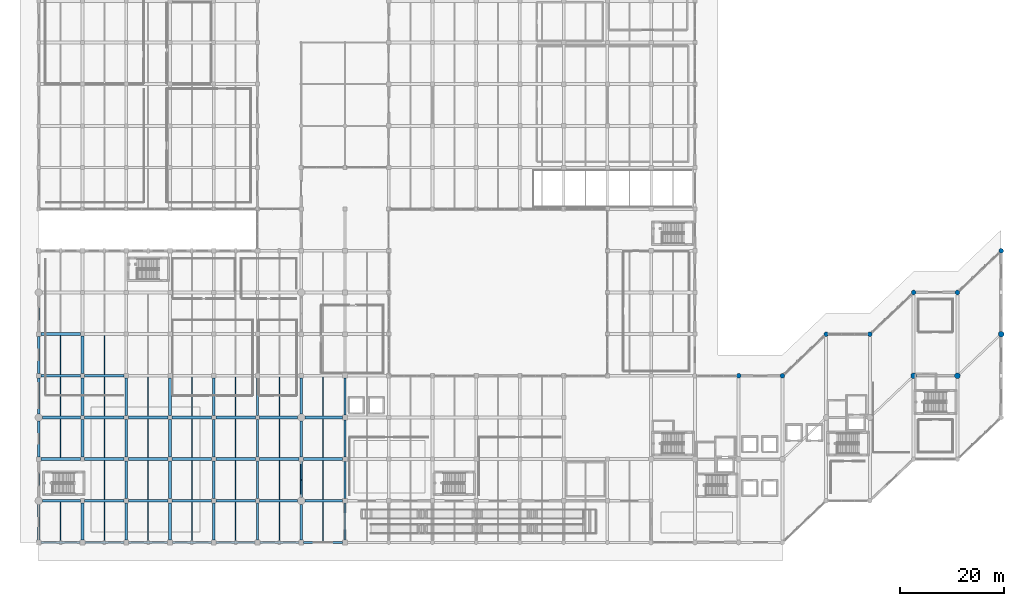
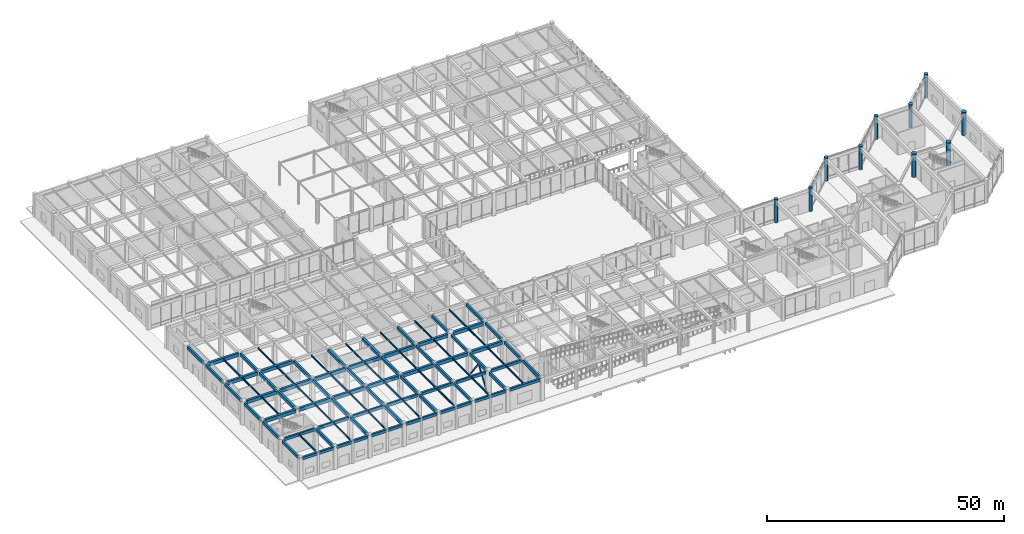
# One storey, part 18 of 76: 94 beams, 10 columns, 3 members.
"""IFC4 building model written with IfcOpenShell, lengths in metres."""

from ifc_helpers import new_model, si_unit, direction, frame, origin, origin_2d, place, context, subcontext, project, spatial, rectangle, hollow_rectangle, circle, i_section, extrude, material, material_profile, profile_set, type_object, element, save


model = new_model("IFC4")

# Units and contexts
model_context = context("Model", 3, precision=1e-05, world=origin(), true_north=direction((0.0, 1.0)))
body_context = subcontext(model_context, "Body", "Model", "MODEL_VIEW")
ifc_project = project(units=[si_unit("LENGTHUNIT", "METRE"), si_unit("AREAUNIT", "SQUARE_METRE"), si_unit("VOLUMEUNIT", "CUBIC_METRE"), si_unit("PLANEANGLEUNIT", "RADIAN"), si_unit("MASSUNIT", "GRAM", prefix="KILO")], contexts=[model_context])

# Site, building, storey
site_placement = place(None, origin())
site = spatial("IfcSite", under=ifc_project, at=site_placement, CompositionType="ELEMENT")
building_placement = place(site_placement, origin())
building = spatial("IfcBuilding", under=site, at=building_placement, Name="Naruveol Harbour Congress Hotel", CompositionType="ELEMENT")
storey_placement = place(building_placement, origin())
storey = spatial("IfcBuildingStorey", under=building, at=storey_placement, Name="L00", CompositionType="ELEMENT", Elevation=0.0)

# Columns
ifc_material_1 = material(Name="Concrete C50/60", Category="concrete")
ifc_material_profile_1 = material_profile(ifc_material_1, circle(Radius=0.449951171875, at=origin_2d()), Name="RC-D900")
ifc_profile_set_1 = profile_set([ifc_material_profile_1], Name="Concrete C50/60")
column_type_1 = type_object("IfcColumnType", Name="RC HARBOUR PILOTIS D900", PredefinedType="COLUMN", material=ifc_profile_set_1)
for number, where, z_axis, x_axis, name in (
    (1, (134.39990234375, 32.0, 0.0), (0.0, 0.0, 1.0), (1.0, 0.0, 0.0), "Column C-PD900 L00 (134.4,32.0)"),
    (2, (142.800048828125, 32.0, 0.0), (0.0, 0.0, 1.0), (1.0, 0.0, 0.0), "Column C-PD900 L00 (142.8,32.0)"),
    (3, (151.199951171875, 40.0, 0.0), (0.0, 0.0, 1.0), (1.0, 0.0, 0.0), "Column C-PD900 L00 (151.2,40.0)"),
    (4, (159.60009765625, 40.0, 0.0), (0.0, 0.0, 1.0), (1.0, 0.0, 0.0), "Column C-PD900 L00 (159.6,40.0)"),
    (5, (168.0, 48.0, 0.0), (0.0, 0.0, 1.0), (1.0, 0.0, 0.0), "Column C-PD900 L00 (168.0,48.0)"),
    (6, (176.39990234375, 48.0, 0.0), (0.0, 0.0, 1.0), (1.0, 0.0, 0.0), "Column C-PD900 L00 (176.4,48.0)"),
    (7, (184.800048828125, 56.0, 0.0), (0.0, 0.0, 1.0), (1.0, 0.0, 0.0), "Column C-PD900 L00 (184.8,56.0)"),
):
    element("IfcColumn", number, at=place(storey_placement, frame(where, z_axis=z_axis, x_axis=x_axis)), inside=storey, type_object=column_type_1, Name=name, PredefinedType="COLUMN", context=body_context, shape_type="SweptSolid", body=[
        extrude(circle(Radius=0.449951171875, at=origin_2d()), origin(), (0.0, 0.0, 1.0), 6.0),
    ])
ifc_material_2 = material(Name="Concrete C50/60", Category="concrete")
ifc_material_profile_2 = material_profile(ifc_material_2, circle(Radius=0.550048828125, at=origin_2d()), Name="RC-D1100")
ifc_profile_set_2 = profile_set([ifc_material_profile_2], Name="Concrete C50/60")
column_type_2 = type_object("IfcColumnType", Name="RC TRANSFER PILOTIS D1100", PredefinedType="COLUMN", material=ifc_profile_set_2)
for number, where, z_axis, x_axis, name in (
    (8, (168.0, 32.0, 0.0), (0.0, 0.0, 1.0), (1.0, 0.0, 0.0), "Column C-PD1100 L00 (168.0,32.0)"),
    (9, (176.39990234375, 32.0, 0.0), (0.0, 0.0, 1.0), (1.0, 0.0, 0.0), "Column C-PD1100 L00 (176.4,32.0)"),
    (10, (184.800048828125, 40.0, 0.0), (0.0, 0.0, 1.0), (1.0, 0.0, 0.0), "Column C-PD1100 L00 (184.8,40.0)"),
):
    element("IfcColumn", number, at=place(storey_placement, frame(where, z_axis=z_axis, x_axis=x_axis)), inside=storey, type_object=column_type_2, Name=name, PredefinedType="COLUMN", context=body_context, shape_type="SweptSolid", body=[
        extrude(circle(Radius=0.550048828125, at=origin_2d()), origin(), (0.0, 0.0, 1.0), 6.0),
    ])

# Beams
ifc_material_3 = material(Name="Concrete C40/50", Category="concrete")
ifc_material_profile_3 = material_profile(ifc_material_3, rectangle(XDim=0.5, YDim=0.75, at=origin_2d()), Name="RCB-500x750")
ifc_profile_set_3 = profile_set([ifc_material_profile_3], Name="Concrete C40/50")
beam_type_1 = type_object("IfcBeamType", Name="RC FLOOR GIRDER 500X750", PredefinedType="BEAM", material=ifc_profile_set_3)
beam_1_placement = place(storey_placement, frame((8.39990234375, 0.446044921875, 5.324951171875), z_axis=(0.0, 1.0, 0.0), x_axis=(-1.0, 0.0, 0.0)))
element("IfcBeam", 11, at=beam_1_placement, inside=storey, type_object=beam_type_1, Name="Transverse girder L01 CB3", PredefinedType="BEAM", context=body_context, shape_type="SweptSolid", body=[
    extrude(rectangle(XDim=0.5, YDim=0.75, at=origin_2d()), origin(), (0.0, 0.0, 1.0), 7.157958984375),
])
for number, where, z_axis, x_axis, name in (
    (12, (8.39990234375, 16.39599609375, 5.324951171875), (0.0, 1.0, 0.0), (-1.0, 0.0, 0.0), "Transverse girder L01 CB3"),
    (13, (8.39990234375, 24.39599609375, 5.324951171875), (0.0, 1.0, 0.0), (-1.0, 0.0, 0.0), "Transverse girder L01 CB3"),
    (14, (8.39990234375, 32.39599609375, 5.324951171875), (0.0, 1.0, 0.0), (-1.0, 0.0, 0.0), "Transverse girder L01 CB3"),
):
    element("IfcBeam", number, at=place(storey_placement, frame(where, z_axis=z_axis, x_axis=x_axis)), inside=storey, type_object=beam_type_1, Name=name, PredefinedType="BEAM", context=body_context, shape_type="SweptSolid", body=[
        extrude(rectangle(XDim=0.5, YDim=0.75, at=origin_2d()), origin(), (0.0, 0.0, 1.0), 7.2080078125),
    ])
beam_2_placement = place(storey_placement, frame((16.800048828125, 0.446044921875, 5.324951171875), z_axis=(0.0, 1.0, 0.0), x_axis=(-1.0, 0.0, 0.0)))
element("IfcBeam", 15, at=beam_2_placement, inside=storey, type_object=beam_type_1, Name="Transverse girder L01 CB3", PredefinedType="BEAM", context=body_context, shape_type="SweptSolid", body=[
    extrude(rectangle(XDim=0.5, YDim=0.75, at=origin_2d()), origin(), (0.0, 0.0, 1.0), 7.157958984375),
])
for number, where, z_axis, x_axis, name in (
    (16, (16.800048828125, 8.39599609375, 5.324951171875), (0.0, 1.0, 0.0), (-1.0, 0.0, 0.0), "Transverse girder L01 CB3"),
    (17, (16.800048828125, 16.39599609375, 5.324951171875), (0.0, 1.0, 0.0), (-1.0, 0.0, 0.0), "Transverse girder L01 CB3"),
    (18, (16.800048828125, 24.39599609375, 5.324951171875), (0.0, 1.0, 0.0), (-1.0, 0.0, 0.0), "Transverse girder L01 CB3"),
):
    element("IfcBeam", number, at=place(storey_placement, frame(where, z_axis=z_axis, x_axis=x_axis)), inside=storey, type_object=beam_type_1, Name=name, PredefinedType="BEAM", context=body_context, shape_type="SweptSolid", body=[
        extrude(rectangle(XDim=0.5, YDim=0.75, at=origin_2d()), origin(), (0.0, 0.0, 1.0), 7.2080078125),
    ])
beam_3_placement = place(storey_placement, frame((25.199951171875, 0.446044921875, 5.324951171875), z_axis=(0.0, 1.0, 0.0), x_axis=(-1.0, 0.0, 0.0)))
element("IfcBeam", 19, at=beam_3_placement, inside=storey, type_object=beam_type_1, Name="Transverse girder L01 CB3", PredefinedType="BEAM", context=body_context, shape_type="SweptSolid", body=[
    extrude(rectangle(XDim=0.5, YDim=0.75, at=origin_2d()), origin(), (0.0, 0.0, 1.0), 7.157958984375),
])
for number, where, z_axis, x_axis, name in (
    (20, (25.199951171875, 8.39599609375, 5.324951171875), (0.0, 1.0, 0.0), (-1.0, 0.0, 0.0), "Transverse girder L01 CB3"),
    (21, (25.199951171875, 16.39599609375, 5.324951171875), (0.0, 1.0, 0.0), (-1.0, 0.0, 0.0), "Transverse girder L01 CB3"),
    (22, (25.199951171875, 24.39599609375, 5.324951171875), (0.0, 1.0, 0.0), (-1.0, 0.0, 0.0), "Transverse girder L01 CB3"),
):
    element("IfcBeam", number, at=place(storey_placement, frame(where, z_axis=z_axis, x_axis=x_axis)), inside=storey, type_object=beam_type_1, Name=name, PredefinedType="BEAM", context=body_context, shape_type="SweptSolid", body=[
        extrude(rectangle(XDim=0.5, YDim=0.75, at=origin_2d()), origin(), (0.0, 0.0, 1.0), 7.2080078125),
    ])
beam_4_placement = place(storey_placement, frame((33.60009765625, 0.446044921875, 5.324951171875), z_axis=(0.0, 1.0, 0.0), x_axis=(-1.0, 0.0, 0.0)))
element("IfcBeam", 23, at=beam_4_placement, inside=storey, type_object=beam_type_1, Name="Transverse girder L01 CB3", PredefinedType="BEAM", context=body_context, shape_type="SweptSolid", body=[
    extrude(rectangle(XDim=0.5, YDim=0.75, at=origin_2d()), origin(), (0.0, 0.0, 1.0), 7.157958984375),
])
for number, where, z_axis, x_axis, name in (
    (24, (33.60009765625, 8.39599609375, 5.324951171875), (0.0, 1.0, 0.0), (-1.0, 0.0, 0.0), "Transverse girder L01 CB3"),
    (25, (33.60009765625, 16.39599609375, 5.324951171875), (0.0, 1.0, 0.0), (-1.0, 0.0, 0.0), "Transverse girder L01 CB3"),
    (26, (33.60009765625, 24.39599609375, 5.324951171875), (0.0, 1.0, 0.0), (-1.0, 0.0, 0.0), "Transverse girder L01 CB3"),
):
    element("IfcBeam", number, at=place(storey_placement, frame(where, z_axis=z_axis, x_axis=x_axis)), inside=storey, type_object=beam_type_1, Name=name, PredefinedType="BEAM", context=body_context, shape_type="SweptSolid", body=[
        extrude(rectangle(XDim=0.5, YDim=0.75, at=origin_2d()), origin(), (0.0, 0.0, 1.0), 7.2080078125),
    ])
ifc_material_4 = material(Name="Concrete C40/50", Category="concrete")
ifc_material_profile_4 = material_profile(ifc_material_4, rectangle(XDim=0.550048828125, YDim=0.85009765625, at=origin_2d()), Name="RCB-550x850")
ifc_profile_set_4 = profile_set([ifc_material_profile_4], Name="Concrete C40/50")
beam_type_2 = type_object("IfcBeamType", Name="RC PRIMARY GIRDER 550X850", PredefinedType="BEAM", material=ifc_profile_set_4)
beam_5_placement = place(storey_placement, frame((0.446044921875, 16.0, 5.27490234375), z_axis=(1.0, 0.0, 0.0), x_axis=(0.0, 1.0, 0.0)))
element("IfcBeam", 27, at=beam_5_placement, inside=storey, type_object=beam_type_2, Name="Floor girder L01 CB2", PredefinedType="BEAM", context=body_context, shape_type="SweptSolid", body=[
    extrude(rectangle(XDim=0.550048828125, YDim=0.85009765625, at=origin_2d()), origin(), (0.0, 0.0, 1.0), 7.557861328125),
])
beam_6_placement = place(storey_placement, frame((8.7958984375, 16.0, 5.27490234375), z_axis=(1.0, 0.0, 0.0), x_axis=(0.0, 1.0, 0.0)))
element("IfcBeam", 28, at=beam_6_placement, inside=storey, type_object=beam_type_2, Name="Floor girder L01 CB2", PredefinedType="BEAM", context=body_context, shape_type="SweptSolid", body=[
    extrude(rectangle(XDim=0.550048828125, YDim=0.85009765625, at=origin_2d()), origin(), (0.0, 0.0, 1.0), 7.608154296875),
])
beam_7_placement = place(storey_placement, frame((17.196044921875, 16.0, 5.27490234375), z_axis=(1.0, 0.0, 0.0), x_axis=(0.0, 1.0, 0.0)))
element("IfcBeam", 29, at=beam_7_placement, inside=storey, type_object=beam_type_2, Name="Floor girder L01 CB2", PredefinedType="BEAM", context=body_context, shape_type="SweptSolid", body=[
    extrude(rectangle(XDim=0.550048828125, YDim=0.85009765625, at=origin_2d()), origin(), (0.0, 0.0, 1.0), 7.60791015625),
])
beam_8_placement = place(storey_placement, frame((25.595947265625, 16.0, 5.27490234375), z_axis=(1.0, 0.0, 0.0), x_axis=(0.0, 1.0, 0.0)))
element("IfcBeam", 30, at=beam_8_placement, inside=storey, type_object=beam_type_2, Name="Floor girder L01 CB2", PredefinedType="BEAM", context=body_context, shape_type="SweptSolid", body=[
    extrude(rectangle(XDim=0.550048828125, YDim=0.85009765625, at=origin_2d()), origin(), (0.0, 0.0, 1.0), 7.608154296875),
])
beam_9_placement = place(storey_placement, frame((33.99609375, 16.0, 5.27490234375), z_axis=(1.0, 0.0, 0.0), x_axis=(0.0, 1.0, 0.0)))
element("IfcBeam", 31, at=beam_9_placement, inside=storey, type_object=beam_type_2, Name="Floor girder L01 CB2", PredefinedType="BEAM", context=body_context, shape_type="SweptSolid", body=[
    extrude(rectangle(XDim=0.550048828125, YDim=0.85009765625, at=origin_2d()), origin(), (0.0, 0.0, 1.0), 7.60791015625),
])
beam_10_placement = place(storey_placement, frame((42.39599609375, 16.0, 5.27490234375), z_axis=(1.0, 0.0, 0.0), x_axis=(0.0, 1.0, 0.0)))
element("IfcBeam", 32, at=beam_10_placement, inside=storey, type_object=beam_type_2, Name="Floor girder L01 CB2", PredefinedType="BEAM", context=body_context, shape_type="SweptSolid", body=[
    extrude(rectangle(XDim=0.550048828125, YDim=0.85009765625, at=origin_2d()), origin(), (0.0, 0.0, 1.0), 7.55810546875),
])
beam_11_placement = place(storey_placement, frame((50.845947265625, 16.0, 5.27490234375), z_axis=(1.0, 0.0, 0.0), x_axis=(0.0, 1.0, 0.0)))
element("IfcBeam", 33, at=beam_11_placement, inside=storey, type_object=beam_type_2, Name="Floor girder L01 CB2", PredefinedType="BEAM", context=body_context, shape_type="SweptSolid", body=[
    extrude(rectangle(XDim=0.550048828125, YDim=0.85009765625, at=origin_2d()), origin(), (0.0, 0.0, 1.0), 7.508056640625),
])
beam_12_placement = place(storey_placement, frame((0.696044921875, 24.0, 5.27490234375), z_axis=(1.0, 0.0, 0.0), x_axis=(0.0, 1.0, 0.0)))
element("IfcBeam", 34, at=beam_12_placement, inside=storey, type_object=beam_type_2, Name="Floor girder L01 CB2", PredefinedType="BEAM", context=body_context, shape_type="SweptSolid", body=[
    extrude(rectangle(XDim=0.550048828125, YDim=0.85009765625, at=origin_2d()), origin(), (0.0, 0.0, 1.0), 7.307861328125),
])
beam_13_placement = place(storey_placement, frame((8.7958984375, 24.0, 5.27490234375), z_axis=(1.0, 0.0, 0.0), x_axis=(0.0, 1.0, 0.0)))
element("IfcBeam", 35, at=beam_13_placement, inside=storey, type_object=beam_type_2, Name="Floor girder L01 CB2", PredefinedType="BEAM", context=body_context, shape_type="SweptSolid", body=[
    extrude(rectangle(XDim=0.550048828125, YDim=0.85009765625, at=origin_2d()), origin(), (0.0, 0.0, 1.0), 7.608154296875),
])
beam_14_placement = place(storey_placement, frame((17.196044921875, 24.0, 5.27490234375), z_axis=(1.0, 0.0, 0.0), x_axis=(0.0, 1.0, 0.0)))
element("IfcBeam", 36, at=beam_14_placement, inside=storey, type_object=beam_type_2, Name="Floor girder L01 CB2", PredefinedType="BEAM", context=body_context, shape_type="SweptSolid", body=[
    extrude(rectangle(XDim=0.550048828125, YDim=0.85009765625, at=origin_2d()), origin(), (0.0, 0.0, 1.0), 7.60791015625),
])
beam_15_placement = place(storey_placement, frame((25.595947265625, 24.0, 5.27490234375), z_axis=(1.0, 0.0, 0.0), x_axis=(0.0, 1.0, 0.0)))
element("IfcBeam", 37, at=beam_15_placement, inside=storey, type_object=beam_type_2, Name="Floor girder L01 CB2", PredefinedType="BEAM", context=body_context, shape_type="SweptSolid", body=[
    extrude(rectangle(XDim=0.550048828125, YDim=0.85009765625, at=origin_2d()), origin(), (0.0, 0.0, 1.0), 7.608154296875),
])
beam_16_placement = place(storey_placement, frame((33.99609375, 24.0, 5.27490234375), z_axis=(1.0, 0.0, 0.0), x_axis=(0.0, 1.0, 0.0)))
element("IfcBeam", 38, at=beam_16_placement, inside=storey, type_object=beam_type_2, Name="Floor girder L01 CB2", PredefinedType="BEAM", context=body_context, shape_type="SweptSolid", body=[
    extrude(rectangle(XDim=0.550048828125, YDim=0.85009765625, at=origin_2d()), origin(), (0.0, 0.0, 1.0), 7.60791015625),
])
beam_17_placement = place(storey_placement, frame((42.39599609375, 24.0, 5.27490234375), z_axis=(1.0, 0.0, 0.0), x_axis=(0.0, 1.0, 0.0)))
element("IfcBeam", 39, at=beam_17_placement, inside=storey, type_object=beam_type_2, Name="Floor girder L01 CB2", PredefinedType="BEAM", context=body_context, shape_type="SweptSolid", body=[
    extrude(rectangle(XDim=0.550048828125, YDim=0.85009765625, at=origin_2d()), origin(), (0.0, 0.0, 1.0), 7.30810546875),
])
beam_18_placement = place(storey_placement, frame((51.095947265625, 24.0, 5.27490234375), z_axis=(1.0, 0.0, 0.0), x_axis=(0.0, 1.0, 0.0)))
element("IfcBeam", 40, at=beam_18_placement, inside=storey, type_object=beam_type_2, Name="Floor girder L01 CB2", PredefinedType="BEAM", context=body_context, shape_type="SweptSolid", body=[
    extrude(rectangle(XDim=0.550048828125, YDim=0.85009765625, at=origin_2d()), origin(), (0.0, 0.0, 1.0), 7.258056640625),
])
beam_19_placement = place(storey_placement, frame((0.446044921875, 32.0, 5.27490234375), z_axis=(1.0, 0.0, 0.0), x_axis=(0.0, 1.0, 0.0)))
element("IfcBeam", 41, at=beam_19_placement, inside=storey, type_object=beam_type_2, Name="Floor girder L01 CB2", PredefinedType="BEAM", context=body_context, shape_type="SweptSolid", body=[
    extrude(rectangle(XDim=0.550048828125, YDim=0.85009765625, at=origin_2d()), origin(), (0.0, 0.0, 1.0), 7.557861328125),
])
beam_20_placement = place(storey_placement, frame((8.7958984375, 32.0, 5.27490234375), z_axis=(1.0, 0.0, 0.0), x_axis=(0.0, 1.0, 0.0)))
element("IfcBeam", 42, at=beam_20_placement, inside=storey, type_object=beam_type_2, Name="Floor girder L01 CB2", PredefinedType="BEAM", context=body_context, shape_type="SweptSolid", body=[
    extrude(rectangle(XDim=0.550048828125, YDim=0.85009765625, at=origin_2d()), origin(), (0.0, 0.0, 1.0), 7.608154296875),
])
beam_21_placement = place(storey_placement, frame((0.446044921875, 40.0, 5.27490234375), z_axis=(1.0, 0.0, 0.0), x_axis=(0.0, 1.0, 0.0)))
element("IfcBeam", 43, at=beam_21_placement, inside=storey, type_object=beam_type_2, Name="Floor girder L01 CB2", PredefinedType="BEAM", context=body_context, shape_type="SweptSolid", body=[
    extrude(rectangle(XDim=0.550048828125, YDim=0.85009765625, at=origin_2d()), origin(), (0.0, 0.0, 1.0), 7.557861328125),
])
ifc_material_5 = material(Name="Concrete C40/50", Category="concrete")
ifc_material_profile_5 = material_profile(ifc_material_5, rectangle(XDim=0.449951171875, YDim=0.699951171875, at=origin_2d()), Name="RCB-450x700")
ifc_profile_set_5 = profile_set([ifc_material_profile_5], Name="Concrete C40/50")
beam_type_3 = type_object("IfcBeamType", Name="RC SPANDREL BEAM 450X700", PredefinedType="SPANDREL", material=ifc_profile_set_5)
for number, where, z_axis, x_axis, name in (
    (44, (0.446044921875, 0.0, 5.35009765625), (1.0, 0.0, 0.0), (0.0, 1.0, 0.0), "Floor girder L01 SPB1"),
    (45, (8.845947265625, 0.0, 5.35009765625), (1.0, 0.0, 0.0), (0.0, 1.0, 0.0), "Floor girder L01 SPB1"),
):
    element("IfcBeam", number, at=place(storey_placement, frame(where, z_axis=z_axis, x_axis=x_axis)), inside=storey, type_object=beam_type_3, Name=name, PredefinedType="SPANDREL", context=body_context, shape_type="SweptSolid", body=[
        extrude(rectangle(XDim=0.449951171875, YDim=0.699951171875, at=origin_2d()), origin(), (0.0, 0.0, 1.0), 7.508056640625),
    ])
beam_22_placement = place(storey_placement, frame((17.24609375, 0.0, 5.35009765625), z_axis=(1.0, 0.0, 0.0), x_axis=(0.0, 1.0, 0.0)))
element("IfcBeam", 46, at=beam_22_placement, inside=storey, type_object=beam_type_3, Name="Floor girder L01 SPB1", PredefinedType="SPANDREL", context=body_context, shape_type="SweptSolid", body=[
    extrude(rectangle(XDim=0.449951171875, YDim=0.699951171875, at=origin_2d()), origin(), (0.0, 0.0, 1.0), 7.5078125),
])
for number, where, z_axis, x_axis, name in (
    (47, (25.64599609375, 0.0, 5.35009765625), (1.0, 0.0, 0.0), (0.0, 1.0, 0.0), "Floor girder L01 SPB1"),
    (48, (34.0458984375, 0.0, 5.35009765625), (1.0, 0.0, 0.0), (0.0, 1.0, 0.0), "Floor girder L01 SPB1"),
    (49, (42.446044921875, 0.0, 5.35009765625), (1.0, 0.0, 0.0), (0.0, 1.0, 0.0), "Floor girder L01 SPB1"),
    (50, (50.845947265625, 0.0, 5.35009765625), (1.0, 0.0, 0.0), (0.0, 1.0, 0.0), "Floor girder L01 SPB1"),
):
    element("IfcBeam", number, at=place(storey_placement, frame(where, z_axis=z_axis, x_axis=x_axis)), inside=storey, type_object=beam_type_3, Name=name, PredefinedType="SPANDREL", context=body_context, shape_type="SweptSolid", body=[
        extrude(rectangle(XDim=0.449951171875, YDim=0.699951171875, at=origin_2d()), origin(), (0.0, 0.0, 1.0), 7.508056640625),
    ])
beam_23_placement = place(storey_placement, frame((0.696044921875, 8.0, 5.35009765625), z_axis=(1.0, 0.0, 0.0), x_axis=(0.0, 1.0, 0.0)))
element("IfcBeam", 51, at=beam_23_placement, inside=storey, type_object=beam_type_3, Name="Floor girder L01 SPB1", PredefinedType="SPANDREL", context=body_context, shape_type="SweptSolid", body=[
    extrude(rectangle(XDim=0.449951171875, YDim=0.699951171875, at=origin_2d()), origin(), (0.0, 0.0, 1.0), 7.307861328125),
])
beam_24_placement = place(storey_placement, frame((8.7958984375, 8.0, 5.35009765625), z_axis=(1.0, 0.0, 0.0), x_axis=(0.0, 1.0, 0.0)))
element("IfcBeam", 52, at=beam_24_placement, inside=storey, type_object=beam_type_3, Name="Floor girder L01 SPB1", PredefinedType="SPANDREL", context=body_context, shape_type="SweptSolid", body=[
    extrude(rectangle(XDim=0.449951171875, YDim=0.699951171875, at=origin_2d()), origin(), (0.0, 0.0, 1.0), 7.608154296875),
])
beam_25_placement = place(storey_placement, frame((17.196044921875, 8.0, 5.35009765625), z_axis=(1.0, 0.0, 0.0), x_axis=(0.0, 1.0, 0.0)))
element("IfcBeam", 53, at=beam_25_placement, inside=storey, type_object=beam_type_3, Name="Floor girder L01 SPB1", PredefinedType="SPANDREL", context=body_context, shape_type="SweptSolid", body=[
    extrude(rectangle(XDim=0.449951171875, YDim=0.699951171875, at=origin_2d()), origin(), (0.0, 0.0, 1.0), 7.60791015625),
])
beam_26_placement = place(storey_placement, frame((25.595947265625, 8.0, 5.35009765625), z_axis=(1.0, 0.0, 0.0), x_axis=(0.0, 1.0, 0.0)))
element("IfcBeam", 54, at=beam_26_placement, inside=storey, type_object=beam_type_3, Name="Floor girder L01 SPB1", PredefinedType="SPANDREL", context=body_context, shape_type="SweptSolid", body=[
    extrude(rectangle(XDim=0.449951171875, YDim=0.699951171875, at=origin_2d()), origin(), (0.0, 0.0, 1.0), 7.608154296875),
])
beam_27_placement = place(storey_placement, frame((33.99609375, 8.0, 5.35009765625), z_axis=(1.0, 0.0, 0.0), x_axis=(0.0, 1.0, 0.0)))
element("IfcBeam", 55, at=beam_27_placement, inside=storey, type_object=beam_type_3, Name="Floor girder L01 SPB1", PredefinedType="SPANDREL", context=body_context, shape_type="SweptSolid", body=[
    extrude(rectangle(XDim=0.449951171875, YDim=0.699951171875, at=origin_2d()), origin(), (0.0, 0.0, 1.0), 7.60791015625),
])
beam_28_placement = place(storey_placement, frame((42.39599609375, 8.0, 5.35009765625), z_axis=(1.0, 0.0, 0.0), x_axis=(0.0, 1.0, 0.0)))
element("IfcBeam", 56, at=beam_28_placement, inside=storey, type_object=beam_type_3, Name="Floor girder L01 SPB1", PredefinedType="SPANDREL", context=body_context, shape_type="SweptSolid", body=[
    extrude(rectangle(XDim=0.449951171875, YDim=0.699951171875, at=origin_2d()), origin(), (0.0, 0.0, 1.0), 7.30810546875),
])
beam_29_placement = place(storey_placement, frame((51.095947265625, 8.0, 5.35009765625), z_axis=(1.0, 0.0, 0.0), x_axis=(0.0, 1.0, 0.0)))
element("IfcBeam", 57, at=beam_29_placement, inside=storey, type_object=beam_type_3, Name="Floor girder L01 SPB1", PredefinedType="SPANDREL", context=body_context, shape_type="SweptSolid", body=[
    extrude(rectangle(XDim=0.449951171875, YDim=0.699951171875, at=origin_2d()), origin(), (0.0, 0.0, 1.0), 7.258056640625),
])
for number, where, z_axis, x_axis, name in (
    (58, (0.0, 0.446044921875, 5.35009765625), (0.0, 1.0, 0.0), (-1.0, 0.0, 0.0), "Transverse girder L01 SPB1"),
    (59, (0.0, 8.696044921875, 5.35009765625), (0.0, 1.0, 0.0), (-1.0, 0.0, 0.0), "Transverse girder L01 SPB1"),
    (60, (0.0, 16.446044921875, 5.35009765625), (0.0, 1.0, 0.0), (-1.0, 0.0, 0.0), "Transverse girder L01 SPB1"),
    (61, (0.0, 24.696044921875, 5.35009765625), (0.0, 1.0, 0.0), (-1.0, 0.0, 0.0), "Transverse girder L01 SPB1"),
):
    element("IfcBeam", number, at=place(storey_placement, frame(where, z_axis=z_axis, x_axis=x_axis)), inside=storey, type_object=beam_type_3, Name=name, PredefinedType="SPANDREL", context=body_context, shape_type="SweptSolid", body=[
        extrude(rectangle(XDim=0.449951171875, YDim=0.699951171875, at=origin_2d()), origin(), (0.0, 0.0, 1.0), 6.85791015625),
    ])
beam_30_placement = place(storey_placement, frame((0.0, 32.446044921875, 5.35009765625), z_axis=(0.0, 1.0, 0.0), x_axis=(-1.0, 0.0, 0.0)))
element("IfcBeam", 62, at=beam_30_placement, inside=storey, type_object=beam_type_3, Name="Transverse girder L01 SPB1", PredefinedType="SPANDREL", context=body_context, shape_type="SweptSolid", body=[
    extrude(rectangle(XDim=0.449951171875, YDim=0.699951171875, at=origin_2d()), origin(), (0.0, 0.0, 1.0), 7.10791015625),
])
beam_31_placement = place(storey_placement, frame((0.0, 40.446044921875, 5.35009765625), z_axis=(0.0, 1.0, 0.0), x_axis=(-1.0, 0.0, 0.0)))
element("IfcBeam", 63, at=beam_31_placement, inside=storey, type_object=beam_type_3, Name="Transverse girder L01 SPB1", PredefinedType="SPANDREL", context=body_context, shape_type="SweptSolid", body=[
    extrude(rectangle(XDim=0.449951171875, YDim=0.699951171875, at=origin_2d()), origin(), (0.0, 0.0, 1.0), 6.85791015625),
])
beam_32_placement = place(storey_placement, frame((42.0, 0.446044921875, 5.35009765625), z_axis=(0.0, 1.0, 0.0), x_axis=(-1.0, 0.0, 0.0)))
element("IfcBeam", 64, at=beam_32_placement, inside=storey, type_object=beam_type_3, Name="Transverse girder L01 SPB1", PredefinedType="SPANDREL", context=body_context, shape_type="SweptSolid", body=[
    extrude(rectangle(XDim=0.449951171875, YDim=0.699951171875, at=origin_2d()), origin(), (0.0, 0.0, 1.0), 7.157958984375),
])
for number, where, z_axis, x_axis, name in (
    (65, (42.0, 8.39599609375, 5.35009765625), (0.0, 1.0, 0.0), (-1.0, 0.0, 0.0), "Transverse girder L01 SPB1"),
    (66, (42.0, 16.39599609375, 5.35009765625), (0.0, 1.0, 0.0), (-1.0, 0.0, 0.0), "Transverse girder L01 SPB1"),
    (67, (42.0, 24.39599609375, 5.35009765625), (0.0, 1.0, 0.0), (-1.0, 0.0, 0.0), "Transverse girder L01 SPB1"),
):
    element("IfcBeam", number, at=place(storey_placement, frame(where, z_axis=z_axis, x_axis=x_axis)), inside=storey, type_object=beam_type_3, Name=name, PredefinedType="SPANDREL", context=body_context, shape_type="SweptSolid", body=[
        extrude(rectangle(XDim=0.449951171875, YDim=0.699951171875, at=origin_2d()), origin(), (0.0, 0.0, 1.0), 7.2080078125),
    ])
for number, where, z_axis, x_axis, name in (
    (68, (50.39990234375, 0.446044921875, 5.35009765625), (0.0, 1.0, 0.0), (-1.0, 0.0, 0.0), "Transverse girder L01 SPB1"),
    (69, (50.39990234375, 8.696044921875, 5.35009765625), (0.0, 1.0, 0.0), (-1.0, 0.0, 0.0), "Transverse girder L01 SPB1"),
    (70, (50.39990234375, 16.446044921875, 5.35009765625), (0.0, 1.0, 0.0), (-1.0, 0.0, 0.0), "Transverse girder L01 SPB1"),
    (71, (50.39990234375, 24.696044921875, 5.35009765625), (0.0, 1.0, 0.0), (-1.0, 0.0, 0.0), "Transverse girder L01 SPB1"),
):
    element("IfcBeam", number, at=place(storey_placement, frame(where, z_axis=z_axis, x_axis=x_axis)), inside=storey, type_object=beam_type_3, Name=name, PredefinedType="SPANDREL", context=body_context, shape_type="SweptSolid", body=[
        extrude(rectangle(XDim=0.449951171875, YDim=0.699951171875, at=origin_2d()), origin(), (0.0, 0.0, 1.0), 6.85791015625),
    ])
for number, where, z_axis, x_axis, name in (
    (72, (58.800048828125, 0.446044921875, 5.35009765625), (0.0, 1.0, 0.0), (-1.0, 0.0, 0.0), "Transverse girder L01 SPB1"),
    (73, (58.800048828125, 8.446044921875, 5.35009765625), (0.0, 1.0, 0.0), (-1.0, 0.0, 0.0), "Transverse girder L01 SPB1"),
    (74, (58.800048828125, 16.446044921875, 5.35009765625), (0.0, 1.0, 0.0), (-1.0, 0.0, 0.0), "Transverse girder L01 SPB1"),
    (75, (58.800048828125, 24.446044921875, 5.35009765625), (0.0, 1.0, 0.0), (-1.0, 0.0, 0.0), "Transverse girder L01 SPB1"),
):
    element("IfcBeam", number, at=place(storey_placement, frame(where, z_axis=z_axis, x_axis=x_axis)), inside=storey, type_object=beam_type_3, Name=name, PredefinedType="SPANDREL", context=body_context, shape_type="SweptSolid", body=[
        extrude(rectangle(XDim=0.449951171875, YDim=0.699951171875, at=origin_2d()), origin(), (0.0, 0.0, 1.0), 7.10791015625),
    ])

# Members
ifc_material_6 = material(Name="Steel SN490", Category="steel")
ifc_material_profile_6 = material_profile(ifc_material_6, i_section(OverallWidth=0.175048828125, OverallDepth=0.35009765625, WebThickness=0.007080078125, FlangeThickness=0.010986328125, at=origin_2d()), Name="H-350x175x7x11")
ifc_profile_set_6 = profile_set([ifc_material_profile_6], Name="Steel SN490")
member_type_1 = type_object("IfcMemberType", Name="STEEL CANOPY TIE CHORD H350", PredefinedType="CHORD", material=ifc_profile_set_6)
member_1_placement = place(storey_placement, frame((58.800048828125, 0.3701171875, 4.199951171875), z_axis=(0.0, 0.992400613026, 0.123048865356), x_axis=(-1.0, 0.0, 0.0)))
element("IfcMember", 76, at=member_1_placement, inside=storey, type_object=member_type_1, Name="Promenade colonnade tie chord #1", PredefinedType="CHORD", context=body_context, shape_type="SweptSolid", body=[
    extrude(i_section(OverallWidth=0.175048828125, OverallDepth=0.35009765625, WebThickness=0.007080078125, FlangeThickness=0.010986328125, at=origin_2d()), origin(), (0.0, 0.0, 1.0), 7.3154296875),
])
ifc_material_7 = material(Name="Steel SN490", Category="steel")
ifc_material_profile_7 = material_profile(ifc_material_7, hollow_rectangle(XDim=0.25, YDim=0.25, WallThickness=0.011962890625, at=origin_2d()), Name="SHS-250x250x12")
ifc_profile_set_7 = profile_set([ifc_material_profile_7], Name="Steel SN490")
member_type_2 = type_object("IfcMemberType", Name="STEEL LATERAL FRAME BRACE SHS250", PredefinedType="BRACE", material=ifc_profile_set_7)
member_2_placement = place(storey_placement, frame((50.39990234375, 8.68994140625, 0.159912109375), z_axis=(0.0, 0.56849895373, 0.822683985263), x_axis=(-1.0, 0.0, 0.0)))
element("IfcMember", 77, at=member_2_placement, inside=storey, type_object=member_type_2, Name="Lateral chevron brace L00 #6A", PredefinedType="BRACE", context=body_context, shape_type="SweptSolid", body=[
    extrude(hollow_rectangle(XDim=0.25, YDim=0.25, WallThickness=0.011962890625, at=origin_2d()), origin(), (0.0, 0.0, 1.0), 5.822509765625),
])
member_3_placement = place(storey_placement, frame((50.39990234375, 15.56005859375, 0.159912109375), z_axis=(0.0, -0.596512275355, 0.802603952987), x_axis=(1.0, 0.0, 0.0)))
element("IfcMember", 78, at=member_3_placement, inside=storey, type_object=member_type_2, Name="Lateral chevron brace L00 #6B", PredefinedType="BRACE", context=body_context, shape_type="SweptSolid", body=[
    extrude(hollow_rectangle(XDim=0.25, YDim=0.25, WallThickness=0.011962890625, at=origin_2d()), origin(), (0.0, 0.0, 1.0), 5.968017578125),
])

# Beams
ifc_material_8 = material(Name="Steel SN490", Category="steel")
ifc_material_profile_8 = material_profile(ifc_material_8, i_section(OverallWidth=0.199951171875, OverallDepth=0.39990234375, WebThickness=0.008056640625, FlangeThickness=0.012939453125, at=origin_2d()), Name="H-400x200x8x13")
ifc_profile_set_8 = profile_set([ifc_material_profile_8], Name="Steel SN490")
beam_type_4 = type_object("IfcBeamType", Name="STEEL SECONDARY JOIST H400", PredefinedType="JOIST", material=ifc_profile_set_8)
for number, where, z_axis, x_axis, name in (
    (79, (4.199951171875, 0.220947265625, 5.5), (0.0, 1.0, 0.0), (-1.0, 0.0, 0.0), "Secondary floor joist L01 SJ1"),
    (80, (12.60009765625, 0.220947265625, 5.5), (0.0, 1.0, 0.0), (-1.0, 0.0, 0.0), "Secondary floor joist L01 SJ1"),
    (81, (21.0, 0.220947265625, 5.5), (0.0, 1.0, 0.0), (-1.0, 0.0, 0.0), "Secondary floor joist L01 SJ1"),
    (82, (29.39990234375, 0.220947265625, 5.5), (0.0, 1.0, 0.0), (-1.0, 0.0, 0.0), "Secondary floor joist L01 SJ1"),
    (83, (37.800048828125, 0.220947265625, 5.5), (0.0, 1.0, 0.0), (-1.0, 0.0, 0.0), "Secondary floor joist L01 SJ1"),
    (84, (46.199951171875, 0.220947265625, 5.5), (0.0, 1.0, 0.0), (-1.0, 0.0, 0.0), "Secondary floor joist L01 SJ1"),
    (85, (54.60009765625, 0.220947265625, 5.5), (0.0, 1.0, 0.0), (-1.0, 0.0, 0.0), "Secondary floor joist L01 SJ1"),
):
    element("IfcBeam", number, at=place(storey_placement, frame(where, z_axis=z_axis, x_axis=x_axis)), inside=storey, type_object=beam_type_4, Name=name, PredefinedType="JOIST", context=body_context, shape_type="SweptSolid", body=[
        extrude(i_section(OverallWidth=0.199951171875, OverallDepth=0.39990234375, WebThickness=0.008056640625, FlangeThickness=0.012939453125, at=origin_2d()), origin(), (0.0, 0.0, 1.0), 7.55810546875),
    ])
for number, where, z_axis, x_axis, name in (
    (86, (12.60009765625, 8.220947265625, 5.5), (0.0, 1.0, 0.0), (-1.0, 0.0, 0.0), "Secondary floor joist L01 SJ1"),
    (87, (21.0, 8.220947265625, 5.5), (0.0, 1.0, 0.0), (-1.0, 0.0, 0.0), "Secondary floor joist L01 SJ1"),
    (88, (29.39990234375, 8.220947265625, 5.5), (0.0, 1.0, 0.0), (-1.0, 0.0, 0.0), "Secondary floor joist L01 SJ1"),
    (89, (37.800048828125, 8.220947265625, 5.5), (0.0, 1.0, 0.0), (-1.0, 0.0, 0.0), "Secondary floor joist L01 SJ1"),
    (90, (46.199951171875, 8.220947265625, 5.5), (0.0, 1.0, 0.0), (-1.0, 0.0, 0.0), "Secondary floor joist L01 SJ1"),
    (91, (54.60009765625, 8.220947265625, 5.5), (0.0, 1.0, 0.0), (-1.0, 0.0, 0.0), "Secondary floor joist L01 SJ1"),
):
    element("IfcBeam", number, at=place(storey_placement, frame(where, z_axis=z_axis, x_axis=x_axis)), inside=storey, type_object=beam_type_4, Name=name, PredefinedType="JOIST", context=body_context, shape_type="SweptSolid", body=[
        extrude(i_section(OverallWidth=0.199951171875, OverallDepth=0.39990234375, WebThickness=0.008056640625, FlangeThickness=0.012939453125, at=origin_2d()), origin(), (0.0, 0.0, 1.0), 7.508056640625),
    ])
for number, where, z_axis, x_axis, name in (
    (92, (4.199951171875, 16.27099609375, 5.5), (0.0, 1.0, 0.0), (-1.0, 0.0, 0.0), "Secondary floor joist L01 SJ1"),
    (93, (12.60009765625, 16.27099609375, 5.5), (0.0, 1.0, 0.0), (-1.0, 0.0, 0.0), "Secondary floor joist L01 SJ1"),
    (94, (21.0, 16.27099609375, 5.5), (0.0, 1.0, 0.0), (-1.0, 0.0, 0.0), "Secondary floor joist L01 SJ1"),
    (95, (29.39990234375, 16.27099609375, 5.5), (0.0, 1.0, 0.0), (-1.0, 0.0, 0.0), "Secondary floor joist L01 SJ1"),
    (96, (37.800048828125, 16.27099609375, 5.5), (0.0, 1.0, 0.0), (-1.0, 0.0, 0.0), "Secondary floor joist L01 SJ1"),
    (97, (46.199951171875, 16.27099609375, 5.5), (0.0, 1.0, 0.0), (-1.0, 0.0, 0.0), "Secondary floor joist L01 SJ1"),
    (98, (54.60009765625, 16.27099609375, 5.5), (0.0, 1.0, 0.0), (-1.0, 0.0, 0.0), "Secondary floor joist L01 SJ1"),
    (99, (4.199951171875, 24.27099609375, 5.5), (0.0, 1.0, 0.0), (-1.0, 0.0, 0.0), "Secondary floor joist L01 SJ1"),
    (100, (12.60009765625, 24.27099609375, 5.5), (0.0, 1.0, 0.0), (-1.0, 0.0, 0.0), "Secondary floor joist L01 SJ1"),
    (101, (21.0, 24.27099609375, 5.5), (0.0, 1.0, 0.0), (-1.0, 0.0, 0.0), "Secondary floor joist L01 SJ1"),
    (102, (29.39990234375, 24.27099609375, 5.5), (0.0, 1.0, 0.0), (-1.0, 0.0, 0.0), "Secondary floor joist L01 SJ1"),
    (103, (37.800048828125, 24.27099609375, 5.5), (0.0, 1.0, 0.0), (-1.0, 0.0, 0.0), "Secondary floor joist L01 SJ1"),
    (104, (46.199951171875, 24.27099609375, 5.5), (0.0, 1.0, 0.0), (-1.0, 0.0, 0.0), "Secondary floor joist L01 SJ1"),
    (105, (54.60009765625, 24.27099609375, 5.5), (0.0, 1.0, 0.0), (-1.0, 0.0, 0.0), "Secondary floor joist L01 SJ1"),
    (106, (4.199951171875, 32.27099609375, 5.5), (0.0, 1.0, 0.0), (-1.0, 0.0, 0.0), "Secondary floor joist L01 SJ1"),
    (107, (12.60009765625, 32.27099609375, 5.5), (0.0, 1.0, 0.0), (-1.0, 0.0, 0.0), "Secondary floor joist L01 SJ1"),
):
    element("IfcBeam", number, at=place(storey_placement, frame(where, z_axis=z_axis, x_axis=x_axis)), inside=storey, type_object=beam_type_4, Name=name, PredefinedType="JOIST", context=body_context, shape_type="SweptSolid", body=[
        extrude(i_section(OverallWidth=0.199951171875, OverallDepth=0.39990234375, WebThickness=0.008056640625, FlangeThickness=0.012939453125, at=origin_2d()), origin(), (0.0, 0.0, 1.0), 7.4580078125),
    ])

save(model, "model.ifc")
